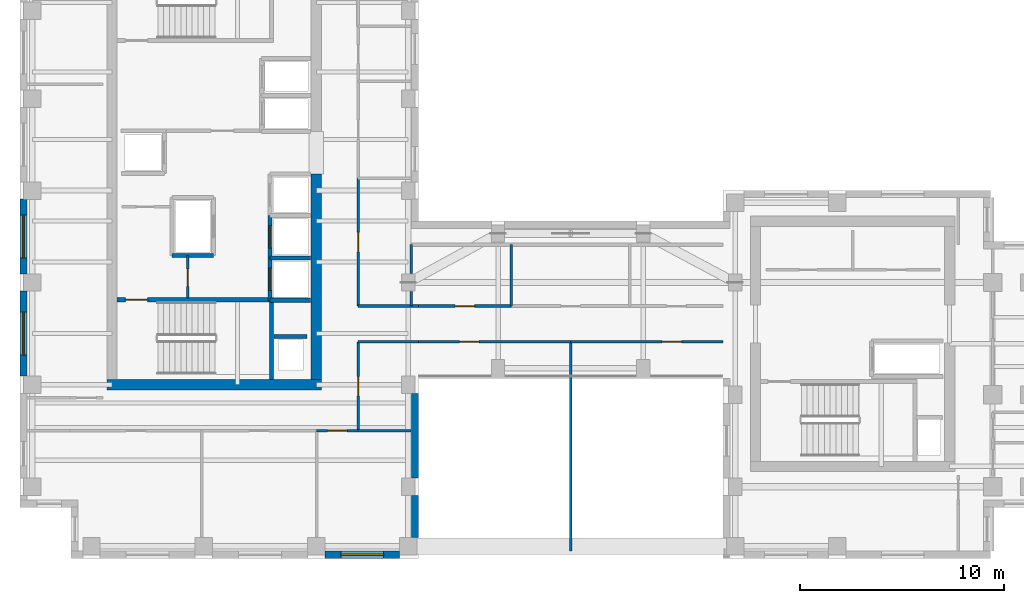
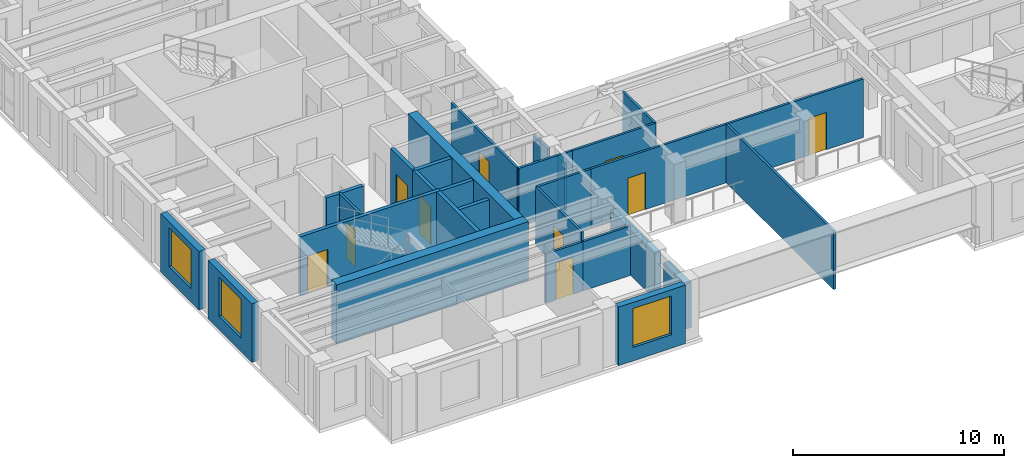
# One storey, part 6 of 12: 29 walls, 10 doors, 3 windows, 13 openings.
"""IFC4 building model written with IfcOpenShell, lengths in metres."""

import ifcopenshell
import ifcopenshell.guid

model = None  # the IFC model being written
_history = None  # IfcOwnerHistory: only IFC2X3 demands one
_inside = {}  # id of a spatial element -> (the spatial element, [elements in it])
_under = {}  # id of a project, library or spatial element -> (it, [spatial elements below it])
_declared = {}  # id of a project -> (the project, [libraries it declares])
_typed = {}  # id of a type object -> (the type object, [elements of that type])
_made_of = {}  # id of a material, layer set ... -> (it, [elements and type objects made of it])


def new_model(schema):
    """Start an empty IFC model of exactly this schema.

    Asked for "IFC4X3", IfcOpenShell would pick the latest addendum, in which some entities
    have other attributes; the version numbers below select the first issue.
    IFC2X3 requires an IfcOwnerHistory on every rooted entity: one is made here for all.
    """
    global model, _history
    if schema == "IFC4X3":
        model = ifcopenshell.file(schema_version=(4, 3, 0, 0))
    else:
        model = ifcopenshell.file(schema=schema)
    _inside.clear()
    _under.clear()
    _declared.clear()
    _typed.clear()
    _made_of.clear()
    _history = None
    if model.schema == "IFC2X3":
        org = make("IfcOrganization", Name="unknown")
        user = make(
            "IfcPersonAndOrganization",
            ThePerson=make("IfcPerson", FamilyName="unknown"),
            TheOrganization=org,
        )
        app = make(
            "IfcApplication",
            ApplicationDeveloper=org,
            Version="unknown",
            ApplicationFullName="unknown",
            ApplicationIdentifier="unknown",
        )
        _history = make(
            "IfcOwnerHistory",
            OwningUser=user,
            OwningApplication=app,
            ChangeAction="ADDED",
            CreationDate=0,
        )
    return model


def make(cls, **values):
    """One entity of the class cls with the attributes given. An attribute that is None is left unset."""
    return model.create_entity(
        cls, **{name: value for name, value in values.items() if value is not None}
    )


def rooted(cls, **values):
    """An entity with a GlobalId (a new one), such as an element, a storey or a relation."""
    return make(cls, GlobalId=ifcopenshell.guid.new(), OwnerHistory=_history, **values)


def si_unit(unit_type, name, prefix=None):
    """IfcSIUnit, for example si_unit("LENGTHUNIT", "METRE", prefix="MILLI")."""
    return make("IfcSIUnit", UnitType=unit_type, Prefix=prefix, Name=name)


def assignment(units):
    """IfcUnitAssignment: the units of a project."""
    return None if units is None else make("IfcUnitAssignment", Units=units)


def point(xyz):
    """IfcCartesianPoint."""
    return None if xyz is None else make("IfcCartesianPoint", Coordinates=xyz)


def direction(xyz):
    """IfcDirection."""
    return None if xyz is None else make("IfcDirection", DirectionRatios=xyz)


def frame(location, z_axis=None, x_axis=None):
    """IfcAxis2Placement3D, a coordinate frame: its origin and axes. An axis left out is left unset."""
    return make(
        "IfcAxis2Placement3D",
        Location=point(location),
        Axis=direction(z_axis),
        RefDirection=direction(x_axis),
    )


def frame_2d(location, x_axis=None):
    """IfcAxis2Placement2D, a coordinate frame in the plane: its origin and x axis."""
    return make(
        "IfcAxis2Placement2D", Location=point(location), RefDirection=direction(x_axis)
    )


def origin():
    """The frame at (0, 0, 0) with its axes left unset."""
    return frame((0.0, 0.0, 0.0))


def place(relative_to, where):
    """IfcLocalPlacement: puts the frame where relative to a parent placement (None: the world)."""
    return make(
        "IfcLocalPlacement", PlacementRelTo=relative_to, RelativePlacement=where
    )


def context(
    kind, dimensions, precision=None, world=None, true_north=None, identifier=None
):
    """IfcGeometricRepresentationContext, for example the 3D "Model" context."""
    return make(
        "IfcGeometricRepresentationContext",
        ContextIdentifier=identifier,
        ContextType=kind,
        CoordinateSpaceDimension=dimensions,
        Precision=precision,
        WorldCoordinateSystem=world,
        TrueNorth=true_north,
    )


def subcontext(parent, identifier, kind, view, scale=None):
    """IfcGeometricRepresentationSubContext, for example "Body" below "Model"."""
    return make(
        "IfcGeometricRepresentationSubContext",
        ContextIdentifier=identifier,
        ContextType=kind,
        ParentContext=parent,
        TargetScale=scale,
        TargetView=view,
    )


def project(units=None, contexts=None):
    """IfcProject with its units and contexts."""
    return rooted(
        "IfcProject",
        Name="project",
        RepresentationContexts=contexts,
        UnitsInContext=assignment(units),
    )


def spatial(cls, under=None, at=None, **own):
    """A site, building, storey or space (cls), placed at a placement, below another one or the project."""
    s = rooted(cls, ObjectPlacement=at, **own)
    if under is not None:
        _under.setdefault(under.id(), (under, []))[1].append(s)
    return s


def profile(cls, at=None, kind="AREA", **sizes):
    """A parametric profile (cls). Its sizes go by their IFC names, for example OverallWidth=200.0."""
    return make(cls, ProfileType=kind, Position=at, **sizes)


def rectangle(**sizes):
    """IfcRectangleProfileDef."""
    return profile("IfcRectangleProfileDef", **sizes)


def extrude(swept, where, along, depth):
    """IfcExtrudedAreaSolid: the profile swept, set in the frame where, extruded along a direction by depth."""
    return make(
        "IfcExtrudedAreaSolid",
        SweptArea=swept,
        Position=where,
        ExtrudedDirection=direction(along),
        Depth=depth,
    )


def shape(context_of_items, identifier, shape_type, items):
    """IfcShapeRepresentation: the items that make up one representation, for example the "Body"."""
    return make(
        "IfcShapeRepresentation",
        ContextOfItems=context_of_items,
        RepresentationIdentifier=identifier,
        RepresentationType=shape_type,
        Items=items,
    )


def source(mapping_origin, context_of_items, identifier, shape_type, items):
    """IfcRepresentationMap: a shape defined once, which mapped items show again and again."""
    return make(
        "IfcRepresentationMap",
        MappingOrigin=mapping_origin,
        MappedRepresentation=shape(context_of_items, identifier, shape_type, items),
    )


def transform(
    local_origin,
    x_axis=None,
    y_axis=None,
    z_axis=None,
    scale=None,
    scale2=None,
    scale3=None,
    uniform=True,
):
    """IfcCartesianTransformationOperator3D, or its non-uniform kind. x_axis, y_axis, z_axis: its Axis1, 2, 3."""
    if uniform:
        return make(
            "IfcCartesianTransformationOperator3D",
            Axis1=direction(x_axis),
            Axis2=direction(y_axis),
            LocalOrigin=point(local_origin),
            Scale=scale,
            Axis3=direction(z_axis),
        )
    return make(
        "IfcCartesianTransformationOperator3DnonUniform",
        Axis1=direction(x_axis),
        Axis2=direction(y_axis),
        LocalOrigin=point(local_origin),
        Scale=scale,
        Axis3=direction(z_axis),
        Scale2=scale2,
        Scale3=scale3,
    )


def mapped(mapping_source, mapping_target):
    """IfcMappedItem: shows the shape of a source again, moved by a transform."""
    return make(
        "IfcMappedItem", MappingSource=mapping_source, MappingTarget=mapping_target
    )


def material(Name=None, Category=None):
    """IfcMaterial."""
    return make("IfcMaterial", Name=Name, Category=Category)


def layer(
    of_material, thickness, ventilated=None, Name=None, Category=None, Priority=None
):
    """IfcMaterialLayer: one layer of a wall or slab, of a material (None: an air gap)."""
    return make(
        "IfcMaterialLayer",
        Material=of_material,
        LayerThickness=thickness,
        IsVentilated=ventilated,
        Name=Name,
        Category=Category,
        Priority=Priority,
    )


def layer_set(layers, Name=None):
    """IfcMaterialLayerSet."""
    return make("IfcMaterialLayerSet", MaterialLayers=layers, LayerSetName=Name)


def made_of(thing, what):
    """Note that an element or type object is made of a material, layer set ...; save() writes the relation."""
    if what is not None:
        _made_of.setdefault(what.id(), (what, []))[1].append(thing)
    return thing


def type_object(cls, material=None, **own):
    """A type object (cls), such as IfcWallType, which elements share."""
    return made_of(rooted(cls, **own), material)


def element(
    cls,
    number,
    at=None,
    inside=None,
    cuts=None,
    type_object=None,
    material=None,
    context=None,
    identifier="Body",
    shape_type=None,
    held_by="IfcProductDefinitionShape",
    body=None,
    shapes=None,
    **own,
):
    """One element of the class cls, such as IfcWall. Its Tag is "e" and its number.

    at: its placement. inside: the storey or other place that contains it. cuts: it is an
    opening in that element (IfcRelVoidsElement). A single representation is given by context,
    identifier, shape_type and body (its items); several are given by shapes. held_by: the class
    of the entity that holds the representations. save() writes the other relations.
    """
    e = rooted(cls, Tag="e%d" % number, ObjectPlacement=at, **own)
    if body is not None:
        shapes = [shape(context, identifier, shape_type, body)]
    if shapes is not None:
        e.Representation = make(held_by, Representations=shapes)
    if inside is not None:
        _inside.setdefault(inside.id(), (inside, []))[1].append(e)
    if cuts is not None:
        rooted(
            "IfcRelVoidsElement", RelatingBuildingElement=cuts, RelatedOpeningElement=e
        )
    if type_object is not None:
        _typed.setdefault(type_object.id(), (type_object, []))[1].append(e)
    return made_of(e, material)


def fill(opening, filler):
    """IfcRelFillsElement: the door or window that sits in an opening."""
    return rooted(
        "IfcRelFillsElement",
        RelatingOpeningElement=opening,
        RelatedBuildingElement=filler,
    )


def aggregate(whole, parts):
    """IfcRelAggregates: a whole, such as a stair, and the parts it consists of."""
    return rooted("IfcRelAggregates", RelatingObject=whole, RelatedObjects=parts)


def save(model, path):
    """Write the relations noted so far, then the file.

    IfcRelAggregates (storeys below a building ...), IfcRelContainedInSpatialStructure (elements
    in a storey), IfcRelDefinesByType, IfcRelAssociatesMaterial and IfcRelDeclares: one each for
    every whole, place, type object, material and project.
    """
    for whole, parts in _under.values():
        aggregate(whole, parts)
    for where, things in _inside.values():
        rooted(
            "IfcRelContainedInSpatialStructure",
            RelatedElements=things,
            RelatingStructure=where,
        )
    for kind, things in _typed.values():
        rooted("IfcRelDefinesByType", RelatedObjects=things, RelatingType=kind)
    for what, things in _made_of.values():
        rooted("IfcRelAssociatesMaterial", RelatedObjects=things, RelatingMaterial=what)
    for by, libraries in _declared.values():
        rooted("IfcRelDeclares", RelatingContext=by, RelatedDefinitions=libraries)
    model.write(path)


model = new_model("IFC4")

# Units and contexts
model_context = context("Model", 3, precision=1e-05, world=origin(), true_north=direction((0.0, 1.0)))
body_context = subcontext(model_context, "Body", "Model", "MODEL_VIEW")
ifc_project = project(units=[si_unit("LENGTHUNIT", "METRE"), si_unit("AREAUNIT", "SQUARE_METRE"), si_unit("VOLUMEUNIT", "CUBIC_METRE"), si_unit("PLANEANGLEUNIT", "RADIAN"), si_unit("MASSUNIT", "GRAM", prefix="KILO")], contexts=[model_context])

# Site, building, storey
site_placement = place(None, origin())
site = spatial("IfcSite", under=ifc_project, at=site_placement, CompositionType="ELEMENT")
building_placement = place(site_placement, origin())
building = spatial("IfcBuilding", under=site, at=building_placement, Name="Kharzan Plaza Tower", CompositionType="ELEMENT")
storey_placement = place(building_placement, frame((0.0, 0.0, 248.39990234375)))
storey = spatial("IfcBuildingStorey", under=building, at=storey_placement, Name="L67", CompositionType="ELEMENT", Elevation=248.39990234375)

# Wall, opening, window
ifc_material_1 = material(Name="Concrete C40/50", Category="concrete")
ifc_layer_1 = layer(ifc_material_1, 0.35009765625)
ifc_layer_set_1 = layer_set([ifc_layer_1], Name="Concrete C40/50")
wall_type_1 = type_object("IfcWallType", Name="WL-EXT-MAS-Z4", PredefinedType="SOLIDWALL", material=ifc_layer_set_1)
wall_1_placement = place(storey_placement, frame((0.175048828125, 17.576904296875, 0.0), z_axis=(0.0, 0.0, 1.0), x_axis=(0.0, -1.0, 0.0)))
wall_1 = element("IfcWall", 1, at=wall_1_placement, inside=storey, type_object=wall_type_1, Name="L67 Masonry-Frame Exterior Wall 21", PredefinedType="SOLIDWALL", context=body_context, shape_type="SweptSolid", body=[
    extrude(rectangle(XDim=3.65380859375, YDim=0.35009765625, at=frame_2d((1.826904296875, 0.0))), origin(), (0.0, 0.0, 1.0), 3.385009765625),
])
opening_1_placement = place(wall_1_placement, frame((0.777099609375, 0.0, 0.780029296875)))
opening_1 = element("IfcOpeningElement", 2, at=opening_1_placement, cuts=wall_1, Name="Opening W6", PredefinedType="OPENING", context=body_context, shape_type="SweptSolid", body=[
    extrude(rectangle(XDim=2.10009765625, YDim=2.25, at=frame_2d((1.050048828125, 1.125))), frame((0.0, 0.18505859375, 0.0), z_axis=(0.0, -1.0, 0.0), x_axis=(1.0, 0.0, 0.0)), (0.0, 0.0, 1.0), 0.3701171875),
])
ifc_material_2 = material(Name="Low-E Double Glazing", Category="glass")
window_type = type_object("IfcWindowType", Name="WN-EXEC-2100x2250", PartitioningType="SINGLE_PANEL", PredefinedType="WINDOW", material=ifc_material_2)
shared_shape_1 = source(origin(), body_context, "Body", "SweptSolid", [
    extrude(rectangle(XDim=2.10009765625, YDim=2.25, at=frame_2d((1.050048828125, 1.125))), frame((0.0, 0.030029296875, 0.0), z_axis=(0.0, -1.0, 0.0), x_axis=(1.0, 0.0, 0.0)), (0.0, 0.0, 1.0), 0.06005859375),
])
window_1_placement = place(opening_1_placement, origin())
window_1 = element("IfcWindow", 3, at=window_1_placement, inside=storey, type_object=window_type, Name="L67 Recessed Solar-Control Window 21-1", OverallHeight=2.25, OverallWidth=2.10009765625, PartitioningType="SINGLE_PANEL", PredefinedType="WINDOW", context=body_context, shape_type="MappedRepresentation", body=[
    mapped(shared_shape_1, transform((0.0, 0.0, 0.0), x_axis=(1.0, 0.0, 0.0), y_axis=(0.0, 1.0, 0.0), z_axis=(0.0, 0.0, 1.0))),
])
fill(opening_1, window_1)

wall_2_placement = place(storey_placement, frame((0.175048828125, 13.076904296875, 0.0), z_axis=(0.0, 0.0, 1.0), x_axis=(0.0, -1.0, 0.0)))
wall_2 = element("IfcWall", 4, at=wall_2_placement, inside=storey, type_object=wall_type_1, Name="L67 Masonry-Frame Exterior Wall 22", PredefinedType="SOLIDWALL", context=body_context, shape_type="SweptSolid", body=[
    extrude(rectangle(XDim=4.15380859375, YDim=0.35009765625, at=frame_2d((2.076904296875, 0.0))), origin(), (0.0, 0.0, 1.0), 3.385009765625),
])
opening_2_placement = place(wall_2_placement, frame((1.027099609375, 0.0, 0.780029296875)))
opening_2 = element("IfcOpeningElement", 5, at=opening_2_placement, cuts=wall_2, Name="Opening W6", PredefinedType="OPENING", context=body_context, shape_type="SweptSolid", body=[
    extrude(rectangle(XDim=2.10009765625, YDim=2.25, at=frame_2d((1.050048828125, 1.125))), frame((0.0, 0.18505859375, 0.0), z_axis=(0.0, -1.0, 0.0), x_axis=(1.0, 0.0, 0.0)), (0.0, 0.0, 1.0), 0.3701171875),
])
window_2_placement = place(opening_2_placement, origin())
window_2 = element("IfcWindow", 6, at=window_2_placement, inside=storey, type_object=window_type, Name="L67 Recessed Solar-Control Window 22-1", OverallHeight=2.25, OverallWidth=2.10009765625, PartitioningType="SINGLE_PANEL", PredefinedType="WINDOW", context=body_context, shape_type="MappedRepresentation", body=[
    mapped(shared_shape_1, transform((0.0, 0.0, 0.0), x_axis=(1.0, 0.0, 0.0), y_axis=(0.0, 1.0, 0.0), z_axis=(0.0, 0.0, 1.0))),
])
fill(opening_2, window_2)

wall_3_placement = place(storey_placement, frame((14.923095703125, 0.175048828125, 0.0), z_axis=(0.0, 0.0, 1.0), x_axis=(1.0, 0.0, 0.0)))
wall_3 = element("IfcWall", 7, at=wall_3_placement, inside=storey, type_object=wall_type_1, Name="L67 Masonry-Frame Exterior Wall 30", PredefinedType="SOLIDWALL", context=body_context, shape_type="SweptSolid", body=[
    extrude(rectangle(XDim=3.65380859375, YDim=0.35009765625, at=frame_2d((1.826904296875, 0.0))), origin(), (0.0, 0.0, 1.0), 3.385009765625),
])
opening_3_placement = place(wall_3_placement, frame((0.777099609375, 0.0, 0.780029296875)))
opening_3 = element("IfcOpeningElement", 8, at=opening_3_placement, cuts=wall_3, Name="Opening W6", PredefinedType="OPENING", context=body_context, shape_type="SweptSolid", body=[
    extrude(rectangle(XDim=2.10009765625, YDim=2.25, at=frame_2d((1.050048828125, 1.125))), frame((0.0, 0.18505859375, 0.0), z_axis=(0.0, -1.0, 0.0), x_axis=(1.0, 0.0, 0.0)), (0.0, 0.0, 1.0), 0.3701171875),
])
window_3_placement = place(opening_3_placement, origin())
window_3 = element("IfcWindow", 9, at=window_3_placement, inside=storey, type_object=window_type, Name="L67 Recessed Solar-Control Window 30-1", OverallHeight=2.25, OverallWidth=2.10009765625, PartitioningType="SINGLE_PANEL", PredefinedType="WINDOW", context=body_context, shape_type="MappedRepresentation", body=[
    mapped(shared_shape_1, transform((0.0, 0.0, 0.0), x_axis=(1.0, 0.0, 0.0), y_axis=(0.0, 1.0, 0.0), z_axis=(0.0, 0.0, 1.0))),
])
fill(opening_3, window_3)

# Wall, opening, door
ifc_material_3 = material(Name="Fire-Rated Gypsum Board Partition", Category="gypsum")
ifc_layer_2 = layer(ifc_material_3, 0.125)
ifc_layer_set_2 = layer_set([ifc_layer_2], Name="Fire-Rated Gypsum Board Partition")
wall_type_2 = type_object("IfcWallType", Name="WL-INT-PART-125", PredefinedType="PARTITIONING", material=ifc_layer_set_2)
wall_4_placement = place(storey_placement, frame((8.219970703125, 12.75, 0.0), z_axis=(0.0, 0.0, 1.0), x_axis=(0.0, 1.0, 0.0)))
wall_4 = element("IfcWall", 10, at=wall_4_placement, inside=storey, type_object=wall_type_2, Name="L67 Interior Partition CA-K1E", PredefinedType="PARTITIONING", context=body_context, shape_type="SweptSolid", body=[
    extrude(rectangle(XDim=2.070068359375, YDim=0.125, at=frame_2d((1.03515625, 0.0))), origin(), (0.0, 0.0, 1.0), 3.385009765625),
])
opening_4_placement = place(wall_4_placement, frame((0.56005859375, 0.0, 0.0)))
opening_4 = element("IfcOpeningElement", 11, at=opening_4_placement, cuts=wall_4, Name="Opening RD1", PredefinedType="OPENING", context=body_context, shape_type="SweptSolid", body=[
    extrude(rectangle(XDim=0.85009765625, YDim=2.10009765625, at=frame_2d((0.425048828125, 1.050048828125))), frame((0.0, 0.072509765625, 0.0), z_axis=(0.0, -1.0, 0.0), x_axis=(1.0, 0.0, 0.0)), (0.0, 0.0, 1.0), 0.14501953125),
])
ifc_material_4 = material(Name="Powder-Coated Fire-Rated Steel", Category="steel")
door_type_1 = type_object("IfcDoorType", Name="DR-RISER-900", OperationType="NOTDEFINED", PredefinedType="DOOR", material=ifc_material_4)
shared_shape_2 = source(origin(), body_context, "Body", "SweptSolid", [
    extrude(rectangle(XDim=0.85009765625, YDim=2.10009765625, at=frame_2d((0.425048828125, 1.050048828125))), frame((0.0, 0.02490234375, 0.0), z_axis=(0.0, -1.0, 0.0), x_axis=(1.0, 0.0, 0.0)), (0.0, 0.0, 1.0), 0.050048828125),
])
door_1_placement = place(opening_4_placement, origin())
door_1 = element("IfcDoor", 12, at=door_1_placement, inside=storey, type_object=door_type_1, Name="L67 Core Service Store Door", OperationType="SINGLE_SWING_RIGHT", OverallHeight=2.10009765625, OverallWidth=0.85009765625, PredefinedType="DOOR", context=body_context, shape_type="MappedRepresentation", body=[
    mapped(shared_shape_2, transform((0.0, 0.0, 0.0), x_axis=(1.0, 0.0, 0.0), y_axis=(0.0, 1.0, 0.0), z_axis=(0.0, 0.0, 1.0))),
])
fill(opening_4, door_1)

wall_5_placement = place(storey_placement, frame((16.550048828125, 12.35009765625, 0.0), z_axis=(0.0, 0.0, 1.0), x_axis=(0.0, 1.0, 0.0)))
wall_5 = element("IfcWall", 13, at=wall_5_placement, inside=storey, type_object=wall_type_2, Name="L67 Interior Partition SH-AEWN1", PredefinedType="PARTITIONING", context=body_context, shape_type="SweptSolid", body=[
    extrude(rectangle(XDim=6.25, YDim=0.125, at=frame_2d((3.125, 0.0))), origin(), (0.0, 0.0, 1.0), 3.385009765625),
])
opening_5_placement = place(wall_5_placement, frame((2.64990234375, 0.0, 0.0)))
opening_5 = element("IfcOpeningElement", 14, at=opening_5_placement, cuts=wall_5, Name="Opening OD1", PredefinedType="OPENING", context=body_context, shape_type="SweptSolid", body=[
    extrude(rectangle(XDim=0.949951171875, YDim=2.14990234375, at=frame_2d((0.47509765625, 1.074951171875))), frame((0.0, 0.072509765625, 0.0), z_axis=(0.0, -1.0, 0.0), x_axis=(1.0, 0.0, 0.0)), (0.0, 0.0, 1.0), 0.14501953125),
])
ifc_material_5 = material(Name="Acoustic Solid-Core Stained Oak", Category="timber")
door_type_2 = type_object("IfcDoorType", Name="DR-OFF-SINGLE", OperationType="NOTDEFINED", PredefinedType="DOOR", material=ifc_material_5)
shared_shape_3 = source(origin(), body_context, "Body", "SweptSolid", [
    extrude(rectangle(XDim=0.949951171875, YDim=2.14990234375, at=frame_2d((0.47509765625, 1.074951171875))), frame((0.0, 0.02490234375, 0.0), z_axis=(0.0, -1.0, 0.0), x_axis=(1.0, 0.0, 0.0)), (0.0, 0.0, 1.0), 0.050048828125),
])
door_2_placement = place(opening_5_placement, origin())
door_2 = element("IfcDoor", 15, at=door_2_placement, inside=storey, type_object=door_type_2, Name="L67 Slot Collaboration Door", OperationType="SINGLE_SWING_LEFT", OverallHeight=2.14990234375, OverallWidth=0.949951171875, PredefinedType="DOOR", context=body_context, shape_type="MappedRepresentation", body=[
    mapped(shared_shape_3, transform((0.0, 0.0, 0.0), x_axis=(1.0, 0.0, 0.0), y_axis=(0.0, 1.0, 0.0), z_axis=(0.0, 0.0, 1.0))),
])
fill(opening_5, door_2)

wall_6_placement = place(storey_placement, frame((16.550048828125, 6.25, 0.0), z_axis=(0.0, 0.0, 1.0), x_axis=(0.0, 1.0, 0.0)))
wall_6 = element("IfcWall", 16, at=wall_6_placement, inside=storey, type_object=wall_type_2, Name="L67 Interior Partition SH-AEWS", PredefinedType="PARTITIONING", context=body_context, shape_type="SweptSolid", body=[
    extrude(rectangle(XDim=4.35009765625, YDim=0.125, at=frame_2d((2.175048828125, 0.0))), origin(), (0.0, 0.0, 1.0), 3.385009765625),
])
opening_6_placement = place(wall_6_placement, frame((1.699951171875, 0.0, 0.0)))
opening_6 = element("IfcOpeningElement", 17, at=opening_6_placement, cuts=wall_6, Name="Opening OD1", PredefinedType="OPENING", context=body_context, shape_type="SweptSolid", body=[
    extrude(rectangle(XDim=0.949951171875, YDim=2.14990234375, at=frame_2d((0.47509765625, 1.074951171875))), frame((0.0, 0.072509765625, 0.0), z_axis=(0.0, -1.0, 0.0), x_axis=(1.0, 0.0, 0.0)), (0.0, 0.0, 1.0), 0.14501953125),
])
door_3_placement = place(opening_6_placement, origin())
door_3 = element("IfcDoor", 18, at=door_3_placement, inside=storey, type_object=door_type_2, Name="L67 Slot South Office Door", OperationType="SINGLE_SWING_RIGHT", OverallHeight=2.14990234375, OverallWidth=0.949951171875, PredefinedType="DOOR", context=body_context, shape_type="MappedRepresentation", body=[
    mapped(shared_shape_3, transform((0.0, 0.0, 0.0), x_axis=(1.0, 0.0, 0.0), y_axis=(0.0, 1.0, 0.0), z_axis=(0.0, 0.0, 1.0))),
])
fill(opening_6, door_3)

wall_7_placement = place(storey_placement, frame((19.5, 12.35009765625, 0.0), z_axis=(0.0, 0.0, 1.0), x_axis=(1.0, 0.0, 0.0)))
wall_7 = element("IfcWall", 19, at=wall_7_placement, inside=storey, type_object=wall_type_2, Name="L67 Interior Partition SH-SPNW1", PredefinedType="PARTITIONING", context=body_context, shape_type="SweptSolid", body=[
    extrude(rectangle(XDim=4.550048828125, YDim=0.125, at=frame_2d((2.27490234375, 0.0))), origin(), (0.0, 0.0, 1.0), 3.385009765625),
])
opening_7_placement = place(wall_7_placement, frame((1.800048828125, 0.0, 0.0)))
opening_7 = element("IfcOpeningElement", 20, at=opening_7_placement, cuts=wall_7, Name="Opening OD1", PredefinedType="OPENING", context=body_context, shape_type="SweptSolid", body=[
    extrude(rectangle(XDim=0.949951171875, YDim=2.14990234375, at=frame_2d((0.47509765625, 1.074951171875))), frame((0.0, 0.072509765625, 0.0), z_axis=(0.0, -1.0, 0.0), x_axis=(1.0, 0.0, 0.0)), (0.0, 0.0, 1.0), 0.14501953125),
])
door_4_placement = place(opening_7_placement, origin())
door_4 = element("IfcDoor", 21, at=door_4_placement, inside=storey, type_object=door_type_2, Name="L67 North-West Spine Door", OperationType="SINGLE_SWING_LEFT", OverallHeight=2.14990234375, OverallWidth=0.949951171875, PredefinedType="DOOR", context=body_context, shape_type="MappedRepresentation", body=[
    mapped(shared_shape_3, transform((0.0, 0.0, 0.0), x_axis=(1.0, 0.0, 0.0), y_axis=(0.0, 1.0, 0.0), z_axis=(0.0, 0.0, 1.0))),
])
fill(opening_7, door_4)

wall_8_placement = place(storey_placement, frame((19.5, 10.60009765625, 0.0), z_axis=(0.0, 0.0, 1.0), x_axis=(1.0, 0.0, 0.0)))
wall_8 = element("IfcWall", 22, at=wall_8_placement, inside=storey, type_object=wall_type_2, Name="L67 Interior Partition SH-SPS1", PredefinedType="PARTITIONING", context=body_context, shape_type="SweptSolid", body=[
    extrude(rectangle(XDim=7.449951171875, YDim=0.125, at=frame_2d((3.72509765625, 0.0))), origin(), (0.0, 0.0, 1.0), 3.385009765625),
])
opening_8_placement = place(wall_8_placement, frame((2.02197265625, 0.0, 0.0)))
opening_8 = element("IfcOpeningElement", 23, at=opening_8_placement, cuts=wall_8, Name="Opening OD1", PredefinedType="OPENING", context=body_context, shape_type="SweptSolid", body=[
    extrude(rectangle(XDim=0.949951171875, YDim=2.14990234375, at=frame_2d((0.47509765625, 1.074951171875))), frame((0.0, 0.072509765625, 0.0), z_axis=(0.0, -1.0, 0.0), x_axis=(1.0, 0.0, 0.0)), (0.0, 0.0, 1.0), 0.14501953125),
])
door_5_placement = place(opening_8_placement, origin())
door_5 = element("IfcDoor", 24, at=door_5_placement, inside=storey, type_object=door_type_2, Name="L67 South Spine West Door", OperationType="SINGLE_SWING_LEFT", OverallHeight=2.14990234375, OverallWidth=0.949951171875, PredefinedType="DOOR", context=body_context, shape_type="MappedRepresentation", body=[
    mapped(shared_shape_3, transform((0.0, 0.0, 0.0), x_axis=(1.0, 0.0, 0.0), y_axis=(0.0, 1.0, 0.0), z_axis=(0.0, 0.0, 1.0))),
])
fill(opening_8, door_5)

wall_9_placement = place(storey_placement, frame((26.949951171875, 10.60009765625, 0.0), z_axis=(0.0, 0.0, 1.0), x_axis=(1.0, 0.0, 0.0)))
wall_9 = element("IfcWall", 25, at=wall_9_placement, inside=storey, type_object=wall_type_2, Name="L67 Interior Partition SH-SPS2", PredefinedType="PARTITIONING", context=body_context, shape_type="SweptSolid", body=[
    extrude(rectangle(XDim=7.449951171875, YDim=0.125, at=frame_2d((3.72509765625, 0.0))), origin(), (0.0, 0.0, 1.0), 3.385009765625),
])
opening_9_placement = place(wall_9_placement, frame((4.47802734375, 0.0, 0.0)))
opening_9 = element("IfcOpeningElement", 26, at=opening_9_placement, cuts=wall_9, Name="Opening OD1", PredefinedType="OPENING", context=body_context, shape_type="SweptSolid", body=[
    extrude(rectangle(XDim=0.949951171875, YDim=2.14990234375, at=frame_2d((0.47509765625, 1.074951171875))), frame((0.0, 0.072509765625, 0.0), z_axis=(0.0, -1.0, 0.0), x_axis=(1.0, 0.0, 0.0)), (0.0, 0.0, 1.0), 0.14501953125),
])
door_6_placement = place(opening_9_placement, origin())
door_6 = element("IfcDoor", 27, at=door_6_placement, inside=storey, type_object=door_type_2, Name="L67 South Spine East Door", OperationType="SINGLE_SWING_RIGHT", OverallHeight=2.14990234375, OverallWidth=0.949951171875, PredefinedType="DOOR", context=body_context, shape_type="MappedRepresentation", body=[
    mapped(shared_shape_3, transform((0.0, 0.0, 0.0), x_axis=(1.0, 0.0, 0.0), y_axis=(0.0, 1.0, 0.0), z_axis=(0.0, 0.0, 1.0))),
])
fill(opening_9, door_6)

wall_10_placement = place(storey_placement, frame((14.51611328125, 6.25, 0.0), z_axis=(0.0, 0.0, 1.0), x_axis=(1.0, 0.0, 0.0)))
wall_10 = element("IfcWall", 28, at=wall_10_placement, inside=storey, type_object=wall_type_2, Name="L67 Interior Partition SH-SS-3", PredefinedType="PARTITIONING", context=body_context, shape_type="SweptSolid", body=[
    extrude(rectangle(XDim=2.033935546875, YDim=0.125, at=frame_2d((1.01708984375, 0.0))), origin(), (0.0, 0.0, 1.0), 2.84814453125),
])
opening_10_placement = place(wall_10_placement, frame((0.5419921875, 0.0, 0.0)))
opening_10 = element("IfcOpeningElement", 29, at=opening_10_placement, cuts=wall_10, Name="Opening OD1", PredefinedType="OPENING", context=body_context, shape_type="SweptSolid", body=[
    extrude(rectangle(XDim=0.949951171875, YDim=2.14990234375, at=frame_2d((0.47509765625, 1.074951171875))), frame((0.0, 0.072509765625, 0.0), z_axis=(0.0, -1.0, 0.0), x_axis=(1.0, 0.0, 0.0)), (0.0, 0.0, 1.0), 0.14501953125),
])
door_7_placement = place(opening_10_placement, origin())
door_7 = element("IfcDoor", 30, at=door_7_placement, inside=storey, type_object=door_type_2, Name="L67 Staff Refreshment Pantry Door", OperationType="SINGLE_SWING_RIGHT", OverallHeight=2.14990234375, OverallWidth=0.949951171875, PredefinedType="DOOR", context=body_context, shape_type="MappedRepresentation", body=[
    mapped(shared_shape_3, transform((0.0, 0.0, 0.0), x_axis=(1.0, 0.0, 0.0), y_axis=(0.0, 1.0, 0.0), z_axis=(0.0, 0.0, 1.0))),
])
fill(opening_10, door_7)

ifc_layer_3 = layer(ifc_material_1, 0.199951171875)
ifc_layer_set_3 = layer_set([ifc_layer_3], Name="Concrete C40/50")
wall_type_3 = type_object("IfcWallType", Name="WL-INT-SHAFT-200", PredefinedType="PARTITIONING", material=ifc_layer_set_3)
wall_11_placement = place(storey_placement, frame((12.22998046875, 12.6298828125, 0.0), z_axis=(0.0, 0.0, 1.0), x_axis=(0.0, 1.0, 0.0)))
wall_11 = element("IfcWall", 31, at=wall_11_placement, inside=storey, type_object=wall_type_3, Name="L67 Interior Partition SHF-PL-H1-W", PredefinedType="PARTITIONING", context=body_context, shape_type="SweptSolid", body=[
    extrude(rectangle(XDim=2.070068359375, YDim=0.199951171875, at=frame_2d((1.03515625, 0.0))), origin(), (0.0, 0.0, 1.0), 3.385009765625),
])
opening_11_placement = place(wall_11_placement, frame((0.485107421875, 0.0, 0.0)))
opening_11 = element("IfcOpeningElement", 32, at=opening_11_placement, cuts=wall_11, Name="Opening LD", PredefinedType="OPENING", context=body_context, shape_type="SweptSolid", body=[
    extrude(rectangle(XDim=1.10009765625, YDim=2.199951171875, at=frame_2d((0.550048828125, 1.10009765625))), frame((0.0, 0.10986328125, 0.0), z_axis=(0.0, -1.0, 0.0), x_axis=(1.0, 0.0, 0.0)), (0.0, 0.0, 1.0), 0.219970703125),
])
ifc_material_6 = material(Name="Brushed Stainless Steel", Category="steel")
door_type_3 = type_object("IfcDoorType", Name="DR-LIFT-SLIDE", OperationType="SLIDING_TO_LEFT", PredefinedType="DOOR", material=ifc_material_6)
shared_shape_4 = source(origin(), body_context, "Body", "SweptSolid", [
    extrude(rectangle(XDim=1.10009765625, YDim=2.199951171875, at=frame_2d((0.550048828125, 1.10009765625))), frame((0.0, 0.02490234375, 0.0), z_axis=(0.0, -1.0, 0.0), x_axis=(1.0, 0.0, 0.0)), (0.0, 0.0, 1.0), 0.050048828125),
])
door_8_placement = place(opening_11_placement, origin())
door_8 = element("IfcDoor", 33, at=door_8_placement, inside=storey, type_object=door_type_3, Name="L67 High-Rise Passenger Lift PL-H1 Sliding Landing Door", OperationType="SLIDING_TO_LEFT", OverallHeight=2.199951171875, OverallWidth=1.10009765625, PredefinedType="DOOR", context=body_context, shape_type="MappedRepresentation", body=[
    mapped(shared_shape_4, transform((0.0, 0.0, 0.0), x_axis=(1.0, 0.0, 0.0), y_axis=(0.0, 1.0, 0.0), z_axis=(0.0, 0.0, 1.0))),
])
fill(opening_11, door_8)

wall_12_placement = place(storey_placement, frame((12.22998046875, 14.699951171875, 0.0), z_axis=(0.0, 0.0, 1.0), x_axis=(0.0, 1.0, 0.0)))
wall_12 = element("IfcWall", 34, at=wall_12_placement, inside=storey, type_object=wall_type_3, Name="L67 Interior Partition SHF-PL-H2-W", PredefinedType="PARTITIONING", context=body_context, shape_type="SweptSolid", body=[
    extrude(rectangle(XDim=2.070068359375, YDim=0.199951171875, at=frame_2d((1.03515625, 0.0))), origin(), (0.0, 0.0, 1.0), 3.385009765625),
])
opening_12_placement = place(wall_12_placement, frame((0.485107421875, 0.0, 0.0)))
opening_12 = element("IfcOpeningElement", 35, at=opening_12_placement, cuts=wall_12, Name="Opening LD", PredefinedType="OPENING", context=body_context, shape_type="SweptSolid", body=[
    extrude(rectangle(XDim=1.10009765625, YDim=2.199951171875, at=frame_2d((0.550048828125, 1.10009765625))), frame((0.0, 0.10986328125, 0.0), z_axis=(0.0, -1.0, 0.0), x_axis=(1.0, 0.0, 0.0)), (0.0, 0.0, 1.0), 0.219970703125),
])
door_9_placement = place(opening_12_placement, origin())
door_9 = element("IfcDoor", 36, at=door_9_placement, inside=storey, type_object=door_type_3, Name="L67 High-Rise Passenger Lift PL-H2 Sliding Landing Door", OperationType="SLIDING_TO_LEFT", OverallHeight=2.199951171875, OverallWidth=1.10009765625, PredefinedType="DOOR", context=body_context, shape_type="MappedRepresentation", body=[
    mapped(shared_shape_4, transform((0.0, 0.0, 0.0), x_axis=(1.0, 0.0, 0.0), y_axis=(0.0, 1.0, 0.0), z_axis=(0.0, 0.0, 1.0))),
])
fill(opening_12, door_9)

ifc_material_7 = material(Name="Concrete C50/60", Category="concrete")
ifc_layer_4 = layer(ifc_material_7, 0.199951171875)
ifc_layer_set_4 = layer_set([ifc_layer_4], Name="Concrete C50/60")
wall_type_4 = type_object("IfcWallType", Name="WL-SHAFT-RC200", PredefinedType="SHEAR", material=ifc_layer_set_4)
wall_13_placement = place(storey_placement, frame((4.751953125, 12.655029296875, 0.0), z_axis=(0.0, 0.0, 1.0), x_axis=(1.0, 0.0, 0.0)))
wall_13 = element("IfcWall", 37, at=wall_13_placement, inside=storey, type_object=wall_type_4, Name="L67 Stair ST-1 North RC Shaft Wall", PredefinedType="SHEAR", context=body_context, shape_type="SweptSolid", body=[
    extrude(rectangle(XDim=7.653076171875, YDim=0.199951171875, at=frame_2d((3.82666015625, 0.0))), origin(), (0.0, 0.0, 1.0), 3.400146484375),
])
opening_13_placement = place(wall_13_placement, frame((0.39990234375, 0.0, 0.0)))
opening_13 = element("IfcOpeningElement", 38, at=opening_13_placement, cuts=wall_13, Name="Opening SD1", PredefinedType="OPENING", context=body_context, shape_type="SweptSolid", body=[
    extrude(rectangle(XDim=1.10009765625, YDim=2.14990234375, at=frame_2d((0.550048828125, 1.074951171875))), frame((0.0, 0.10986328125, 0.0), z_axis=(0.0, -1.0, 0.0), x_axis=(1.0, 0.0, 0.0)), (0.0, 0.0, 1.0), 0.219970703125),
])
ifc_material_8 = material(Name="Fire-Rated Hollow Galvanized Steel", Category="steel")
door_type_4 = type_object("IfcDoorType", Name="DR-STAIR-FD120", OperationType="NOTDEFINED", PredefinedType="DOOR", material=ifc_material_8)
shared_shape_5 = source(origin(), body_context, "Body", "SweptSolid", [
    extrude(rectangle(XDim=1.10009765625, YDim=2.14990234375, at=frame_2d((0.550048828125, 1.074951171875))), frame((0.0, 0.02490234375, 0.0), z_axis=(0.0, -1.0, 0.0), x_axis=(1.0, 0.0, 0.0)), (0.0, 0.0, 1.0), 0.050048828125),
])
door_10_placement = place(opening_13_placement, origin())
door_10 = element("IfcDoor", 39, at=door_10_placement, inside=storey, type_object=door_type_4, Name="L67 Stair ST-1 Fire Exit Door", OperationType="SINGLE_SWING_RIGHT", OverallHeight=2.14990234375, OverallWidth=1.10009765625, PredefinedType="DOOR", context=body_context, shape_type="MappedRepresentation", body=[
    mapped(shared_shape_5, transform((0.0, 0.0, 0.0), x_axis=(1.0, 0.0, 0.0), y_axis=(0.0, 1.0, 0.0), z_axis=(0.0, 0.0, 1.0))),
])
fill(opening_13, door_10)

# Walls
shared_shape_6 = source(origin(), body_context, "Body", "SweptSolid", [
    extrude(rectangle(XDim=1.630126953125, YDim=0.199951171875, at=frame_2d((0.81494140625, 0.0))), origin(), (0.0, 0.0, 1.0), 3.385009765625),
])
wall_14_placement = place(storey_placement, frame((12.419921875, 10.85009765625, 0.0), z_axis=(0.0, 0.0, 1.0), x_axis=(1.0, 0.0, 0.0)))
element("IfcWall", 40, at=wall_14_placement, inside=storey, type_object=wall_type_3, Name="L67 Interior Partition CA-RSRA-N", PredefinedType="PARTITIONING", context=body_context, shape_type="MappedRepresentation", body=[
    mapped(shared_shape_6, transform((0.0, 0.0, 0.0), x_axis=(1.0, 0.0, 0.0), y_axis=(0.0, 1.0, 0.0), z_axis=(0.0, 0.0, 1.0))),
])
shared_shape_7 = source(origin(), body_context, "Body", "SweptSolid", [
    extrude(rectangle(XDim=2.0400390625, YDim=0.199951171875, at=frame_2d((1.02001953125, 0.0))), origin(), (0.0, 0.0, 1.0), 3.385009765625),
])
wall_15_placement = place(storey_placement, frame((7.429931640625, 14.830078125, 0.0), z_axis=(0.0, 0.0, 1.0), x_axis=(1.0, 0.0, 0.0)))
element("IfcWall", 41, at=wall_15_placement, inside=storey, type_object=wall_type_3, Name="L67 Interior Partition SHF-SVL-1-S", PredefinedType="PARTITIONING", context=body_context, shape_type="MappedRepresentation", body=[
    mapped(shared_shape_7, transform((0.0, 0.0, 0.0), x_axis=(1.0, 0.0, 0.0), y_axis=(0.0, 1.0, 0.0), z_axis=(0.0, 0.0, 1.0))),
])
shared_shape_8 = source(origin(), body_context, "Body", "SweptSolid", [
    extrude(rectangle(XDim=2.949951171875, YDim=0.125, at=frame_2d((1.47509765625, 0.0))), origin(), (0.0, 0.0, 1.0), 3.385009765625),
])
for number, where, z_axis, x_axis, name in (
    (42, (16.550048828125, 12.35009765625, 0.0), (0.0, 0.0, 1.0), (1.0, 0.0, 0.0), "L67 Interior Partition SH-SPNW0"),
    (43, (16.550048828125, 10.60009765625, 0.0), (0.0, 0.0, 1.0), (1.0, 0.0, 0.0), "L67 Interior Partition SH-SPS0"),
):
    element("IfcWall", number, at=place(storey_placement, frame(where, z_axis=z_axis, x_axis=x_axis)), inside=storey, type_object=wall_type_2, Name=name, PredefinedType="PARTITIONING", context=body_context, shape_type="MappedRepresentation", body=[
        mapped(shared_shape_8, transform((0.0, 0.0, 0.0), x_axis=(1.0, 0.0, 0.0), y_axis=(0.0, 1.0, 0.0), z_axis=(0.0, 0.0, 1.0))),
    ])
shared_shape_9 = source(origin(), body_context, "Body", "SweptSolid", [
    extrude(rectangle(XDim=2.597900390625, YDim=0.125, at=frame_2d((1.298828125, 0.0))), origin(), (0.0, 0.0, 1.0), 2.84814453125),
])
wall_16_placement = place(storey_placement, frame((16.550048828125, 6.25, 0.0), z_axis=(0.0, 0.0, 1.0), x_axis=(1.0, 0.0, 0.0)))
element("IfcWall", 44, at=wall_16_placement, inside=storey, type_object=wall_type_2, Name="L67 Interior Partition SH-SSE-3", PredefinedType="PARTITIONING", context=body_context, shape_type="MappedRepresentation", body=[
    mapped(shared_shape_9, transform((0.0, 0.0, 0.0), x_axis=(1.0, 0.0, 0.0), y_axis=(0.0, 1.0, 0.0), z_axis=(0.0, 0.0, 1.0))),
])
ifc_layer_5 = layer(ifc_material_7, 0.5)
ifc_layer_set_5 = layer_set([ifc_layer_5], Name="Concrete C50/60")
wall_type_5 = type_object("IfcWallType", Name="WL-CORE-500", PredefinedType="SHEAR", material=ifc_layer_set_5)
shared_shape_10 = source(origin(), body_context, "Body", "SweptSolid", [
    extrude(rectangle(XDim=10.070068359375, YDim=0.5, at=frame_2d((5.03515625, 0.0))), origin(), (0.0, 0.0, 1.0), 3.400146484375),
])
wall_17_placement = place(storey_placement, frame((14.5, 8.75, 0.0), z_axis=(0.0, 0.0, 1.0), x_axis=(0.0, 1.0, 0.0)))
element("IfcWall", 45, at=wall_17_placement, inside=storey, type_object=wall_type_5, Name="L67 CORE-A east shear pier 1", PredefinedType="SHEAR", context=body_context, shape_type="MappedRepresentation", body=[
    mapped(shared_shape_10, transform((0.0, 0.0, 0.0), x_axis=(1.0, 0.0, 0.0), y_axis=(0.0, 1.0, 0.0), z_axis=(0.0, 0.0, 1.0))),
])
shared_shape_11 = source(origin(), body_context, "Body", "SweptSolid", [
    extrude(rectangle(XDim=10.5, YDim=0.5, at=frame_2d((5.25, 0.0))), origin(), (0.0, 0.0, 1.0), 3.400146484375),
])
wall_18_placement = place(storey_placement, frame((4.25, 8.5, 0.0), z_axis=(0.0, 0.0, 1.0), x_axis=(1.0, 0.0, 0.0)))
element("IfcWall", 46, at=wall_18_placement, inside=storey, type_object=wall_type_5, Name="L67 CORE-A south RC shear wall", PredefinedType="SHEAR", context=body_context, shape_type="MappedRepresentation", body=[
    mapped(shared_shape_11, transform((0.0, 0.0, 0.0), x_axis=(1.0, 0.0, 0.0), y_axis=(0.0, 1.0, 0.0), z_axis=(0.0, 0.0, 1.0))),
])
shared_shape_12 = source(origin(), body_context, "Body", "SweptSolid", [
    extrude(rectangle(XDim=0.699951171875, YDim=0.125, at=frame_2d((0.35009765625, 0.0))), origin(), (0.0, 0.0, 1.0), 2.773193359375),
])
wall_19_placement = place(storey_placement, frame((19.14990234375, 12.35009765625, 0.0), z_axis=(0.0, 0.0, 1.0), x_axis=(0.0, 1.0, 0.0)))
element("IfcWall", 47, at=wall_19_placement, inside=storey, type_object=wall_type_2, Name="L67 Interior Partition SH-AEN-DIV-S1", PredefinedType="PARTITIONING", context=body_context, shape_type="MappedRepresentation", body=[
    mapped(shared_shape_12, transform((0.0, 0.0, 0.0), x_axis=(1.0, 0.0, 0.0), y_axis=(0.0, 1.0, 0.0), z_axis=(0.0, 0.0, 1.0))),
])
shared_shape_13 = source(origin(), body_context, "Body", "SweptSolid", [
    extrude(rectangle(XDim=3.0, YDim=0.125, at=frame_2d((1.5, 0.0))), origin(), (0.0, 0.0, 1.0), 3.385009765625),
])
wall_20_placement = place(storey_placement, frame((24.050048828125, 12.35009765625, 0.0), z_axis=(0.0, 0.0, 1.0), x_axis=(0.0, 1.0, 0.0)))
element("IfcWall", 48, at=wall_20_placement, inside=storey, type_object=wall_type_2, Name="L67 Interior Partition SH-SPML", PredefinedType="PARTITIONING", context=body_context, shape_type="MappedRepresentation", body=[
    mapped(shared_shape_13, transform((0.0, 0.0, 0.0), x_axis=(1.0, 0.0, 0.0), y_axis=(0.0, 1.0, 0.0), z_axis=(0.0, 0.0, 1.0))),
])
shared_shape_14 = source(origin(), body_context, "Body", "SweptSolid", [
    extrude(rectangle(XDim=1.989990234375, YDim=0.199951171875, at=frame_2d((0.9951171875, 0.0))), origin(), (0.0, 0.0, 1.0), 3.385009765625),
])
for number, where, z_axis, x_axis, name in (
    (49, (12.22998046875, 14.699951171875, 0.0), (0.0, 0.0, 1.0), (1.0, 0.0, 0.0), "L67 Interior Partition SHF-PL-H1-N"),
    (50, (12.22998046875, 12.6298828125, 0.0), (0.0, 0.0, 1.0), (1.0, 0.0, 0.0), "L67 Interior Partition SHF-PL-H1-S"),
):
    element("IfcWall", number, at=place(storey_placement, frame(where, z_axis=z_axis, x_axis=x_axis)), inside=storey, type_object=wall_type_3, Name=name, PredefinedType="PARTITIONING", context=body_context, shape_type="MappedRepresentation", body=[
        mapped(shared_shape_14, transform((0.0, 0.0, 0.0), x_axis=(1.0, 0.0, 0.0), y_axis=(0.0, 1.0, 0.0), z_axis=(0.0, 0.0, 1.0))),
    ])
shared_shape_15 = source(origin(), body_context, "Body", "SweptSolid", [
    extrude(rectangle(XDim=3.802978515625, YDim=0.199951171875, at=frame_2d((1.9013671875, 0.0))), origin(), (0.0, 0.0, 1.0), 3.400146484375),
])
wall_21_placement = place(storey_placement, frame((12.304931640625, 8.751953125, 0.0), z_axis=(0.0, 0.0, 1.0), x_axis=(0.0, 1.0, 0.0)))
element("IfcWall", 51, at=wall_21_placement, inside=storey, type_object=wall_type_4, Name="L67 Stair ST-1 East RC Shaft Wall", PredefinedType="SHEAR", context=body_context, shape_type="MappedRepresentation", body=[
    mapped(shared_shape_15, transform((0.0, 0.0, 0.0), x_axis=(1.0, 0.0, 0.0), y_axis=(0.0, 1.0, 0.0), z_axis=(0.0, 0.0, 1.0))),
])
shared_shape_16 = source(origin(), body_context, "Body", "SweptSolid", [
    extrude(rectangle(XDim=4.15380859375, YDim=0.35009765625, at=frame_2d((2.076904296875, 0.0))), origin(), (0.0, 0.0, 1.0), 2.619140625),
])
wall_22_placement = place(storey_placement, frame((19.324951171875, 3.923095703125, 0.0), z_axis=(0.0, 0.0, 1.0), x_axis=(0.0, 1.0, 0.0)))
element("IfcWall", 52, at=wall_22_placement, inside=storey, type_object=wall_type_1, Name="L67 Masonry-Frame Exterior Wall 32", PredefinedType="SOLIDWALL", context=body_context, shape_type="MappedRepresentation", body=[
    mapped(shared_shape_16, transform((0.0, 0.0, 0.0), x_axis=(1.0, 0.0, 0.0), y_axis=(0.0, 1.0, 0.0), z_axis=(0.0, 0.0, 1.0))),
])
shared_shape_17 = source(origin(), body_context, "Body", "SweptSolid", [
    extrude(rectangle(XDim=1.400146484375, YDim=0.125, at=frame_2d((0.7001953125, 0.0))), origin(), (0.0, 0.0, 1.0), 2.619140625),
])
wall_23_placement = place(storey_placement, frame((19.14990234375, 13.949951171875, 0.0), z_axis=(0.0, 0.0, 1.0), x_axis=(0.0, 1.0, 0.0)))
element("IfcWall", 53, at=wall_23_placement, inside=storey, type_object=wall_type_2, Name="L67 Interior Partition SH-AEN-DIV-S2", PredefinedType="PARTITIONING", context=body_context, shape_type="MappedRepresentation", body=[
    mapped(shared_shape_17, transform((0.0, 0.0, 0.0), x_axis=(1.0, 0.0, 0.0), y_axis=(0.0, 1.0, 0.0), z_axis=(0.0, 0.0, 1.0))),
])
shared_shape_18 = source(origin(), body_context, "Body", "SweptSolid", [
    extrude(rectangle(XDim=10.25, YDim=0.125, at=frame_2d((5.125, 0.0))), origin(), (0.0, 0.0, 1.0), 3.385009765625),
])
wall_24_placement = place(storey_placement, frame((26.949951171875, 0.35009765625, 0.0), z_axis=(0.0, 0.0, 1.0), x_axis=(0.0, 1.0, 0.0)))
element("IfcWall", 54, at=wall_24_placement, inside=storey, type_object=wall_type_2, Name="L67 Interior Partition SH-SPSV1", PredefinedType="PARTITIONING", context=body_context, shape_type="MappedRepresentation", body=[
    mapped(shared_shape_18, transform((0.0, 0.0, 0.0), x_axis=(1.0, 0.0, 0.0), y_axis=(0.0, 1.0, 0.0), z_axis=(0.0, 0.0, 1.0))),
])
shared_shape_19 = source(origin(), body_context, "Body", "SweptSolid", [
    extrude(rectangle(XDim=2.053955078125, YDim=0.35009765625, at=frame_2d((1.02685546875, 0.0))), origin(), (0.0, 0.0, 1.0), 2.619140625),
])
wall_25_placement = place(storey_placement, frame((19.324951171875, 1.02294921875, 0.0), z_axis=(0.0, 0.0, 1.0), x_axis=(0.0, 1.0, 0.0)))
element("IfcWall", 55, at=wall_25_placement, inside=storey, type_object=wall_type_1, Name="L67 Masonry-Frame Exterior Wall 31", PredefinedType="SOLIDWALL", context=body_context, shape_type="MappedRepresentation", body=[
    mapped(shared_shape_19, transform((0.0, 0.0, 0.0), x_axis=(1.0, 0.0, 0.0), y_axis=(0.0, 1.0, 0.0), z_axis=(0.0, 0.0, 1.0))),
])

save(model, "model.ifc")
